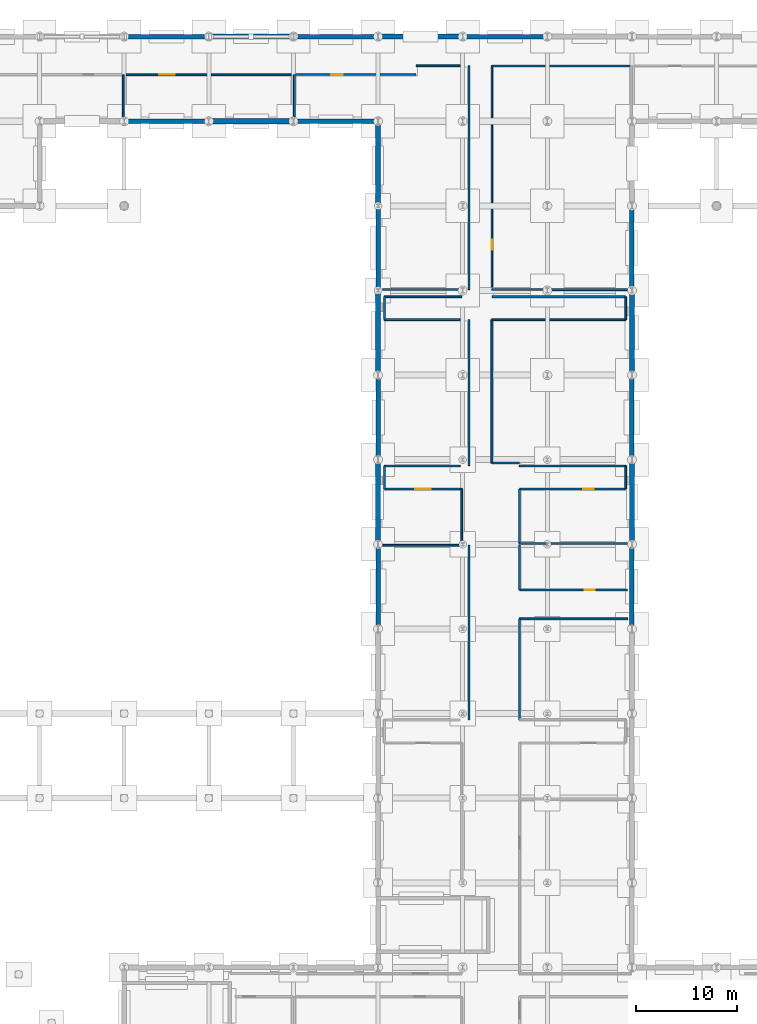
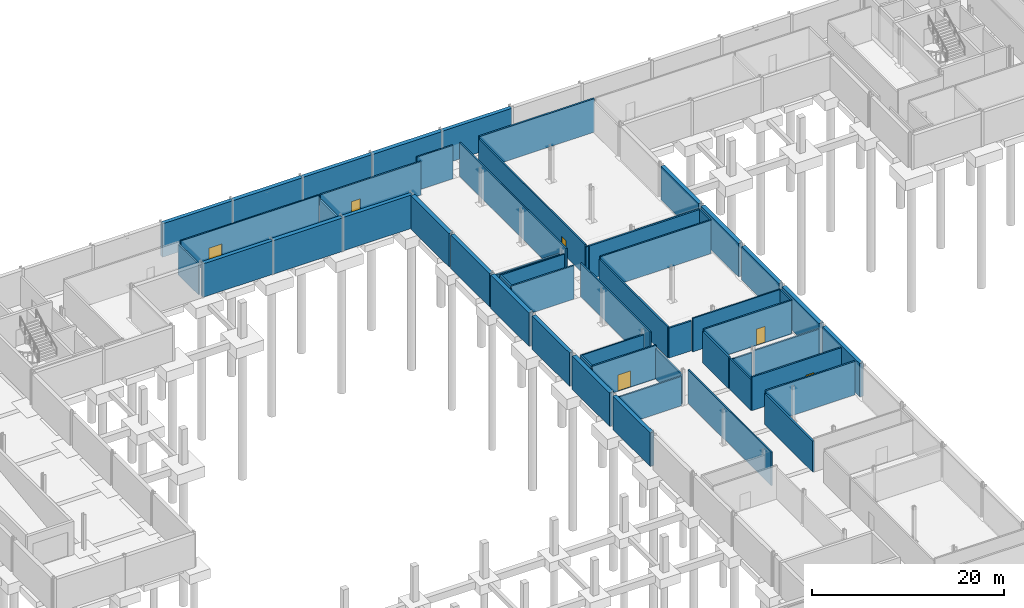
# One storey, part 29 of 43: 55 walls, 6 doors, 6 openings.
"""IFC4 building model written with IfcOpenShell, lengths in metres."""

from ifc_helpers import new_model, si_unit, direction, frame, frame_2d, origin, place, context, subcontext, project, spatial, rectangle, extrude, material, layer, layer_set, type_object, element, fill, save


model = new_model("IFC4")

# Units and contexts
model_context = context("Model", 3, precision=1e-05, world=origin(), true_north=direction((0.0, 1.0)))
body_context = subcontext(model_context, "Body", "Model", "MODEL_VIEW")
ifc_project = project(units=[si_unit("LENGTHUNIT", "METRE"), si_unit("AREAUNIT", "SQUARE_METRE"), si_unit("VOLUMEUNIT", "CUBIC_METRE"), si_unit("PLANEANGLEUNIT", "RADIAN"), si_unit("MASSUNIT", "GRAM", prefix="KILO")], contexts=[model_context])

# Site, building, storey
site_placement = place(None, origin())
site = spatial("IfcSite", under=ifc_project, at=site_placement, CompositionType="ELEMENT")
building_placement = place(site_placement, origin())
building = spatial("IfcBuilding", under=site, at=building_placement, Name="Mersafa Astral City Hall", CompositionType="ELEMENT")
storey_placement = place(building_placement, frame((0.0, 0.0, -4.5)))
storey = spatial("IfcBuildingStorey", under=building, at=storey_placement, Name="B1", CompositionType="ELEMENT", Elevation=-4.5)

# Walls
ifc_material_1 = material(Name="Concrete C40/50", Category="concrete")
ifc_layer_1 = layer(ifc_material_1, 0.449951171875, Name="Concrete C40/50")
ifc_layer_set_1 = layer_set([ifc_layer_1], Name="Concrete C40/50 — ENV-WAL-RET-450")
wall_type_1 = type_object("IfcWallType", Name="ENV-WAL-RET-450", PredefinedType="USERDEFINED", material=ifc_layer_set_1)
for number, where, z_axis, x_axis, name in (
    (1, (117.60009765625, 67.510009765625, 0.0), (0.0, 0.0, 1.0), (0.0, 1.0, 0.0), "B1 Perimeter retaining wall 7"),
    (2, (117.60009765625, 84.31005859375, 0.0), (0.0, 0.0, 1.0), (0.0, 1.0, 0.0), "B1 Perimeter retaining wall 9"),
):
    element("IfcWall", number, at=place(storey_placement, frame(where, z_axis=z_axis, x_axis=x_axis)), inside=storey, type_object=wall_type_1, Name=name, ObjectType="RETAININGWALL", PredefinedType="USERDEFINED", context=body_context, shape_type="SweptSolid", body=[
        extrude(rectangle(XDim=7.780029296875, YDim=0.449951171875, at=frame_2d((3.89013671875, 0.0))), origin(), (0.0, 0.0, 1.0), 4.25),
    ])
wall_1_placement = place(storey_placement, frame((117.60009765625, 101.034912109375, 0.0), z_axis=(0.0, 0.0, 1.0), x_axis=(0.0, 1.0, 0.0)))
element("IfcWall", 3, at=wall_1_placement, inside=storey, type_object=wall_type_1, Name="B1 Perimeter retaining wall 11", ObjectType="RETAININGWALL", PredefinedType="USERDEFINED", context=body_context, shape_type="SweptSolid", body=[
    extrude(rectangle(XDim=7.880126953125, YDim=0.449951171875, at=frame_2d((3.93994140625, 0.0))), origin(), (0.0, 0.0, 1.0), 4.25),
])
wall_2_placement = place(storey_placement, frame((109.19189453125, 126.0, 0.0), z_axis=(0.0, 0.0, 1.0), x_axis=(-1.0, 0.0, 0.0)))
element("IfcWall", 4, at=wall_2_placement, inside=storey, type_object=wall_type_1, Name="B1 Perimeter retaining wall 47", ObjectType="RETAININGWALL", PredefinedType="USERDEFINED", context=body_context, shape_type="SweptSolid", body=[
    extrude(rectangle(XDim=8.3837890625, YDim=0.449951171875, at=frame_2d((4.19189453125, 0.0))), origin(), (0.0, 0.0, 1.0), 4.25),
])
for number, where, z_axis, x_axis, name in (
    (5, (92.39208984375, 126.0, 0.0), (0.0, 0.0, 1.0), (-1.0, 0.0, 0.0), "B1 Perimeter retaining wall 49"),
    (6, (75.592041015625, 126.0, 0.0), (0.0, 0.0, 1.0), (-1.0, 0.0, 0.0), "B1 Perimeter retaining wall 51"),
    (7, (67.2080078125, 117.60009765625, 0.0), (0.0, 0.0, 1.0), (1.0, 0.0, 0.0), "B1 Perimeter retaining wall 73"),
    (8, (84.008056640625, 117.60009765625, 0.0), (0.0, 0.0, 1.0), (1.0, 0.0, 0.0), "B1 Perimeter retaining wall 75"),
):
    element("IfcWall", number, at=place(storey_placement, frame(where, z_axis=z_axis, x_axis=x_axis)), inside=storey, type_object=wall_type_1, Name=name, ObjectType="RETAININGWALL", PredefinedType="USERDEFINED", context=body_context, shape_type="SweptSolid", body=[
        extrude(rectangle(XDim=8.384033203125, YDim=0.449951171875, at=frame_2d((4.19189453125, 0.0))), origin(), (0.0, 0.0, 1.0), 4.25),
    ])
wall_3_placement = place(storey_placement, frame((92.39990234375, 109.06494140625, 0.0), z_axis=(0.0, 0.0, 1.0), x_axis=(0.0, -1.0, 0.0)))
element("IfcWall", 9, at=wall_3_placement, inside=storey, type_object=wall_type_1, Name="B1 Perimeter retaining wall 77", ObjectType="RETAININGWALL", PredefinedType="USERDEFINED", context=body_context, shape_type="SweptSolid", body=[
    extrude(rectangle(XDim=8.1298828125, YDim=0.449951171875, at=frame_2d((4.06494140625, 0.0))), origin(), (0.0, 0.0, 1.0), 4.25),
])
for number, where, z_axis, x_axis, name in (
    (10, (92.39990234375, 92.090087890625, 0.0), (0.0, 0.0, 1.0), (0.0, -1.0, 0.0), "B1 Perimeter retaining wall 79"),
    (11, (92.39990234375, 75.2900390625, 0.0), (0.0, 0.0, 1.0), (0.0, -1.0, 0.0), "B1 Perimeter retaining wall 81"),
):
    element("IfcWall", number, at=place(storey_placement, frame(where, z_axis=z_axis, x_axis=x_axis)), inside=storey, type_object=wall_type_1, Name=name, ObjectType="RETAININGWALL", PredefinedType="USERDEFINED", context=body_context, shape_type="SweptSolid", body=[
        extrude(rectangle(XDim=7.780029296875, YDim=0.449951171875, at=frame_2d((3.89013671875, 0.0))), origin(), (0.0, 0.0, 1.0), 4.25),
    ])
ifc_layer_2 = layer(ifc_material_1, 0.5, Name="Concrete C40/50")
ifc_layer_set_2 = layer_set([ifc_layer_2], Name="Concrete C40/50 — ENV-WAL-RET-500")
wall_type_2 = type_object("IfcWallType", Name="ENV-WAL-RET-500", PredefinedType="USERDEFINED", material=ifc_layer_set_2)
wall_4_placement = place(storey_placement, frame((117.60009765625, 75.909912109375, 0.0), z_axis=(0.0, 0.0, 1.0), x_axis=(0.0, 1.0, 0.0)))
element("IfcWall", 12, at=wall_4_placement, inside=storey, type_object=wall_type_2, Name="B1 Perimeter retaining wall 8", ObjectType="RETAININGWALL", PredefinedType="USERDEFINED", context=body_context, shape_type="SweptSolid", body=[
    extrude(rectangle(XDim=7.780029296875, YDim=0.5, at=frame_2d((3.89013671875, 0.0))), origin(), (0.0, 0.0, 1.0), 4.25),
])
wall_5_placement = place(storey_placement, frame((117.60009765625, 92.7099609375, 0.0), z_axis=(0.0, 0.0, 1.0), x_axis=(0.0, 1.0, 0.0)))
element("IfcWall", 13, at=wall_5_placement, inside=storey, type_object=wall_type_2, Name="B1 Perimeter retaining wall 10", ObjectType="RETAININGWALL", PredefinedType="USERDEFINED", context=body_context, shape_type="SweptSolid", body=[
    extrude(rectangle(XDim=7.85498046875, YDim=0.5, at=frame_2d((3.927490234375, 0.0))), origin(), (0.0, 0.0, 1.0), 4.25),
])
for number, where, z_axis, x_axis, name in (
    (14, (100.7919921875, 126.0, 0.0), (0.0, 0.0, 1.0), (-1.0, 0.0, 0.0), "B1 Perimeter retaining wall 48"),
    (15, (83.991943359375, 126.0, 0.0), (0.0, 0.0, 1.0), (-1.0, 0.0, 0.0), "B1 Perimeter retaining wall 50"),
    (16, (75.60791015625, 117.60009765625, 0.0), (0.0, 0.0, 1.0), (1.0, 0.0, 0.0), "B1 Perimeter retaining wall 74"),
):
    element("IfcWall", number, at=place(storey_placement, frame(where, z_axis=z_axis, x_axis=x_axis)), inside=storey, type_object=wall_type_2, Name=name, ObjectType="RETAININGWALL", PredefinedType="USERDEFINED", context=body_context, shape_type="SweptSolid", body=[
        extrude(rectangle(XDim=8.384033203125, YDim=0.5, at=frame_2d((4.19189453125, 0.0))), origin(), (0.0, 0.0, 1.0), 4.25),
    ])
wall_6_placement = place(storey_placement, frame((92.39990234375, 117.31494140625, 0.0), z_axis=(0.0, 0.0, 1.0), x_axis=(0.0, -1.0, 0.0)))
element("IfcWall", 17, at=wall_6_placement, inside=storey, type_object=wall_type_2, Name="B1 Perimeter retaining wall 76", ObjectType="RETAININGWALL", PredefinedType="USERDEFINED", context=body_context, shape_type="SweptSolid", body=[
    extrude(rectangle(XDim=7.97998046875, YDim=0.5, at=frame_2d((3.989990234375, 0.0))), origin(), (0.0, 0.0, 1.0), 4.25),
])
wall_7_placement = place(storey_placement, frame((92.39990234375, 100.6650390625, 0.0), z_axis=(0.0, 0.0, 1.0), x_axis=(0.0, -1.0, 0.0)))
element("IfcWall", 18, at=wall_7_placement, inside=storey, type_object=wall_type_2, Name="B1 Perimeter retaining wall 78", ObjectType="RETAININGWALL", PredefinedType="USERDEFINED", context=body_context, shape_type="SweptSolid", body=[
    extrude(rectangle(XDim=7.955078125, YDim=0.5, at=frame_2d((3.9775390625, 0.0))), origin(), (0.0, 0.0, 1.0), 4.25),
])
wall_8_placement = place(storey_placement, frame((92.39990234375, 83.68994140625, 0.0), z_axis=(0.0, 0.0, 1.0), x_axis=(0.0, -1.0, 0.0)))
element("IfcWall", 19, at=wall_8_placement, inside=storey, type_object=wall_type_2, Name="B1 Perimeter retaining wall 80", ObjectType="RETAININGWALL", PredefinedType="USERDEFINED", context=body_context, shape_type="SweptSolid", body=[
    extrude(rectangle(XDim=7.780029296875, YDim=0.5, at=frame_2d((3.89013671875, 0.0))), origin(), (0.0, 0.0, 1.0), 4.25),
])

# Wall, opening, door
ifc_material_2 = material(Name="Fire-rated gypsum stud partition", Category="gypsum")
ifc_layer_3 = layer(ifc_material_2, 0.1650390625, Name="Fire-rated gypsum stud partition")
ifc_layer_set_3 = layer_set([ifc_layer_3], Name="Fire-rated gypsum stud partition — INT-WAL-PART-EI60-165")
wall_type_3 = type_object("IfcWallType", Name="INT-WAL-PART-EI60-165", PredefinedType="STANDARD", material=ifc_layer_set_3)
wall_9_placement = place(storey_placement, frame((103.699951171875, 100.889892578125, -0.00390625), z_axis=(0.0, 0.0, 1.0), x_axis=(0.0, 1.0, 0.0)))
wall_9 = element("IfcWall", 20, at=wall_9_placement, inside=storey, type_object=wall_type_3, Name="B1 Interior partition wall 3", PredefinedType="STANDARD", context=body_context, shape_type="SweptSolid", body=[
    extrude(rectangle(XDim=22.210205078125, YDim=0.1650390625, at=frame_2d((11.10498046875, 0.0))), origin(), (0.0, 0.0, 1.0), 3.9658203125),
])
opening_1_placement = place(wall_9_placement, frame((3.951904296875, 0.0, 0.014892578125)))
opening_1 = element("IfcOpeningElement", 21, at=opening_1_placement, cuts=wall_9, Name="Opening D-02", PredefinedType="OPENING", context=body_context, shape_type="SweptSolid", body=[
    extrude(rectangle(XDim=0.97998046875, YDim=2.06005859375, at=frame_2d((0.489990234375, 1.030029296875))), frame((0.0, 0.092529296875, 0.0), z_axis=(0.0, -1.0, 0.0), x_axis=(1.0, 0.0, 0.0)), (0.0, 0.0, 1.0), 0.18505859375),
])
ifc_material_3 = material(Name="Cedar veneered acoustic fire-rated timber door", Category="wood")
door_type_1 = type_object("IfcDoorType", Name="INT-DR-RM-D-02", OperationType="NOTDEFINED", PredefinedType="DOOR", material=ifc_material_3)
door_1_placement = place(opening_1_placement, origin())
door_1 = element("IfcDoor", 22, at=door_1_placement, inside=storey, type_object=door_type_1, Name="B1 Central Archive Stack B1-01 Entrance Door", OperationType="SINGLE_SWING_RIGHT", OverallHeight=2.06005859375, OverallWidth=0.97998046875, PredefinedType="DOOR", context=body_context, shape_type="SweptSolid", body=[
    extrude(rectangle(XDim=0.97998046875, YDim=2.06005859375, at=frame_2d((0.489990234375, 1.030029296875))), frame((0.0, 0.02490234375, 0.0), z_axis=(0.0, -1.0, 0.0), x_axis=(1.0, 0.0, 0.0)), (0.0, 0.0, 1.0), 0.050048828125),
])
fill(opening_1, door_1)

# Walls
wall_10_placement = place(storey_placement, frame((109.085205078125, 75.68994140625, -0.00390625), z_axis=(0.0, 0.0, 1.0), x_axis=(-1.0, 0.0, 0.0)))
element("IfcWall", 23, at=wall_10_placement, inside=storey, type_object=wall_type_3, Name="B1 Interior partition wall 7", PredefinedType="STANDARD", context=body_context, shape_type="SweptSolid", body=[
    extrude(rectangle(XDim=2.6552734375, YDim=0.1650390625, at=frame_2d((1.32763671875, 0.0))), origin(), (0.0, 0.0, 1.0), 3.635986328125),
])
wall_11_placement = place(storey_placement, frame((116.97998046875, 83.3798828125, -0.00390625), z_axis=(0.0, 0.0, 1.0), x_axis=(-1.0, 0.0, 0.0)))
element("IfcWall", 24, at=wall_11_placement, inside=storey, type_object=wall_type_3, Name="B1 Interior partition wall 11", PredefinedType="STANDARD", context=body_context, shape_type="SweptSolid", body=[
    extrude(rectangle(XDim=10.550048828125, YDim=0.1650390625, at=frame_2d((5.27490234375, 0.0))), origin(), (0.0, 0.0, 1.0), 4.25390625),
])
wall_12_placement = place(storey_placement, frame((116.97998046875, 97.89990234375, -0.00390625), z_axis=(0.0, 0.0, 1.0), x_axis=(0.0, 1.0, 0.0)))
element("IfcWall", 25, at=wall_12_placement, inside=storey, type_object=wall_type_3, Name="B1 Interior partition wall 15", PredefinedType="STANDARD", context=body_context, shape_type="SweptSolid", body=[
    extrude(rectangle(XDim=2.280029296875, YDim=0.1650390625, at=frame_2d((1.14013671875, 0.0))), origin(), (0.0, 0.0, 1.0), 4.25390625),
])
wall_13_placement = place(storey_placement, frame((101.419921875, 123.10009765625, -0.00390625), z_axis=(0.0, 0.0, 1.0), x_axis=(0.0, -1.0, 0.0)))
element("IfcWall", 26, at=wall_13_placement, inside=storey, type_object=wall_type_3, Name="B1 Interior partition wall 19", PredefinedType="STANDARD", context=body_context, shape_type="SweptSolid", body=[
    extrude(rectangle(XDim=22.210205078125, YDim=0.1650390625, at=frame_2d((11.10498046875, 0.0))), origin(), (0.0, 0.0, 1.0), 4.25390625),
])
wall_14_placement = place(storey_placement, frame((101.419921875, 75.510009765625, -0.00390625), z_axis=(0.0, 0.0, 1.0), x_axis=(0.0, -1.0, 0.0)))
element("IfcWall", 27, at=wall_14_placement, inside=storey, type_object=wall_type_3, Name="B1 Interior partition wall 27", PredefinedType="STANDARD", context=body_context, shape_type="SweptSolid", body=[
    extrude(rectangle(XDim=17.330078125, YDim=0.1650390625, at=frame_2d((8.6650390625, 0.0))), origin(), (0.0, 0.0, 1.0), 4.25390625),
])
wall_15_placement = place(storey_placement, frame((100.7099609375, 100.179931640625, -0.00390625), z_axis=(0.0, 0.0, 1.0), x_axis=(-1.0, 0.0, 0.0)))
element("IfcWall", 28, at=wall_15_placement, inside=storey, type_object=wall_type_3, Name="B1 Interior partition wall 39", PredefinedType="STANDARD", context=body_context, shape_type="SweptSolid", body=[
    extrude(rectangle(XDim=7.68994140625, YDim=0.1650390625, at=frame_2d((3.844970703125, 0.0))), origin(), (0.0, 0.0, 1.0), 4.25390625),
])
wall_16_placement = place(storey_placement, frame((100.5400390625, 83.3798828125, -0.00390625), z_axis=(0.0, 0.0, 1.0), x_axis=(-1.0, 0.0, 0.0)))
element("IfcWall", 29, at=wall_16_placement, inside=storey, type_object=wall_type_3, Name="B1 Interior partition wall 43", PredefinedType="STANDARD", context=body_context, shape_type="SweptSolid", body=[
    extrude(rectangle(XDim=7.52001953125, YDim=0.1650390625, at=frame_2d((3.760009765625, 0.0))), origin(), (0.0, 0.0, 1.0), 4.25390625),
])

# Wall, opening, door
wall_17_placement = place(storey_placement, frame((67.2900390625, 122.219970703125, -0.00390625), z_axis=(0.0, 0.0, 1.0), x_axis=(1.0, 0.0, 0.0)))
wall_17 = element("IfcWall", 30, at=wall_17_placement, inside=storey, type_object=wall_type_3, Name="B1 Interior partition wall 83", PredefinedType="STANDARD", context=body_context, shape_type="SweptSolid", body=[
    extrude(rectangle(XDim=16.619873046875, YDim=0.1650390625, at=frame_2d((8.31005859375, 0.0))), origin(), (0.0, 0.0, 1.0), 4.25390625),
])
opening_2_placement = place(wall_17_placement, frame((3.385009765625, 0.0, 0.014892578125)))
opening_2 = element("IfcOpeningElement", 31, at=opening_2_placement, cuts=wall_17, Name="Opening D-17", PredefinedType="OPENING", context=body_context, shape_type="SweptSolid", body=[
    extrude(rectangle(XDim=1.5400390625, YDim=2.139892578125, at=frame_2d((0.77001953125, 1.06982421875))), frame((0.0, 0.092529296875, 0.0), z_axis=(0.0, -1.0, 0.0), x_axis=(1.0, 0.0, 0.0)), (0.0, 0.0, 1.0), 0.18505859375),
])
door_type_2 = type_object("IfcDoorType", Name="INT-DR-RM-D-17", OperationType="NOTDEFINED", PredefinedType="DOOR", material=ifc_material_3)
door_2_placement = place(opening_2_placement, origin())
door_2 = element("IfcDoor", 32, at=door_2_placement, inside=storey, type_object=door_type_2, Name="B1 Logistics Bay B1-16 Entrance Door", OperationType="SINGLE_SWING_LEFT", OverallHeight=2.139892578125, OverallWidth=1.5400390625, PredefinedType="DOOR", context=body_context, shape_type="SweptSolid", body=[
    extrude(rectangle(XDim=1.5400390625, YDim=2.139892578125, at=frame_2d((0.77001953125, 1.06982421875))), frame((0.0, 0.02490234375, 0.0), z_axis=(0.0, -1.0, 0.0), x_axis=(1.0, 0.0, 0.0)), (0.0, 0.0, 1.0), 0.050048828125),
])
fill(opening_2, door_2)

# Walls
ifc_material_4 = material(Name="Acoustic twin-stud gypsum partition", Category="gypsum")
ifc_layer_4 = layer(ifc_material_4, 0.179931640625, Name="Acoustic twin-stud gypsum partition")
ifc_layer_set_4 = layer_set([ifc_layer_4], Name="Acoustic twin-stud gypsum partition — INT-WAL-PART-EI60-180")
wall_type_4 = type_object("IfcWallType", Name="INT-WAL-PART-EI60-180", PredefinedType="STANDARD", material=ifc_layer_set_4)
wall_18_placement = place(storey_placement, frame((108.97119140625, 100.889892578125, -0.00390625), z_axis=(0.0, 0.0, 1.0), x_axis=(-1.0, 0.0, 0.0)))
element("IfcWall", 33, at=wall_18_placement, inside=storey, type_object=wall_type_4, Name="B1 Interior partition wall 2", PredefinedType="STANDARD", context=body_context, shape_type="SweptSolid", body=[
    extrude(rectangle(XDim=5.271240234375, YDim=0.179931640625, at=frame_2d((2.6357421875, 0.0))), origin(), (0.0, 0.0, 1.0), 3.685791015625),
])
wall_19_placement = place(storey_placement, frame((117.179931640625, 75.68994140625, -0.00390625), z_axis=(0.0, 0.0, 1.0), x_axis=(-1.0, 0.0, 0.0)))
element("IfcWall", 34, at=wall_19_placement, inside=storey, type_object=wall_type_4, Name="B1 Interior partition wall 6", PredefinedType="STANDARD", context=body_context, shape_type="SweptSolid", body=[
    extrude(rectangle(XDim=7.865234375, YDim=0.179931640625, at=frame_2d((3.9326171875, 0.0))), origin(), (0.0, 0.0, 1.0), 3.7958984375),
])
wall_20_placement = place(storey_placement, frame((116.97998046875, 81.10009765625, -0.00390625), z_axis=(0.0, 0.0, 1.0), x_axis=(0.0, 1.0, 0.0)))
element("IfcWall", 35, at=wall_20_placement, inside=storey, type_object=wall_type_4, Name="B1 Interior partition wall 10", PredefinedType="STANDARD", context=body_context, shape_type="SweptSolid", body=[
    extrude(rectangle(XDim=2.27978515625, YDim=0.179931640625, at=frame_2d((1.139892578125, 0.0))), origin(), (0.0, 0.0, 1.0), 4.25390625),
])
wall_21_placement = place(storey_placement, frame((103.699951171875, 97.89990234375, -0.00390625), z_axis=(0.0, 0.0, 1.0), x_axis=(1.0, 0.0, 0.0)))
element("IfcWall", 36, at=wall_21_placement, inside=storey, type_object=wall_type_4, Name="B1 Interior partition wall 14", PredefinedType="STANDARD", context=body_context, shape_type="SweptSolid", body=[
    extrude(rectangle(XDim=13.280029296875, YDim=0.179931640625, at=frame_2d((6.64013671875, 0.0))), origin(), (0.0, 0.0, 1.0), 4.25390625),
])
wall_22_placement = place(storey_placement, frame((96.179931640625, 123.10009765625, -0.00390625), z_axis=(0.0, 0.0, 1.0), x_axis=(1.0, 0.0, 0.0)))
element("IfcWall", 37, at=wall_22_placement, inside=storey, type_object=wall_type_4, Name="B1 Interior partition wall 18", PredefinedType="STANDARD", context=body_context, shape_type="SweptSolid", body=[
    extrude(rectangle(XDim=4.360107421875, YDim=0.179931640625, at=frame_2d((2.18017578125, 0.0))), origin(), (0.0, 0.0, 1.0), 4.25390625),
])
wall_23_placement = place(storey_placement, frame((92.820068359375, 75.510009765625, -0.00390625), z_axis=(0.0, 0.0, 1.0), x_axis=(1.0, 0.0, 0.0)))
element("IfcWall", 38, at=wall_23_placement, inside=storey, type_object=wall_type_4, Name="B1 Interior partition wall 26", PredefinedType="STANDARD", context=body_context, shape_type="SweptSolid", body=[
    extrude(rectangle(XDim=7.719970703125, YDim=0.179931640625, at=frame_2d((3.85986328125, 0.0))), origin(), (0.0, 0.0, 1.0), 3.73583984375),
])
wall_24_placement = place(storey_placement, frame((101.419921875, 97.89990234375, -0.00390625), z_axis=(0.0, 0.0, 1.0), x_axis=(0.0, -1.0, 0.0)))
element("IfcWall", 39, at=wall_24_placement, inside=storey, type_object=wall_type_4, Name="B1 Interior partition wall 42", PredefinedType="STANDARD", context=body_context, shape_type="SweptSolid", body=[
    extrude(rectangle(XDim=14.52001953125, YDim=0.179931640625, at=frame_2d((7.260009765625, 0.0))), origin(), (0.0, 0.0, 1.0), 4.25390625),
])
wall_25_placement = place(storey_placement, frame((100.7099609375, 81.10009765625, -0.00390625), z_axis=(0.0, 0.0, 1.0), x_axis=(0.0, -1.0, 0.0)))
element("IfcWall", 40, at=wall_25_placement, inside=storey, type_object=wall_type_4, Name="B1 Interior partition wall 46", PredefinedType="STANDARD", context=body_context, shape_type="SweptSolid", body=[
    extrude(rectangle(XDim=5.38525390625, YDim=0.179931640625, at=frame_2d((2.692626953125, 0.0))), origin(), (0.0, 0.0, 1.0), 3.8359375),
])
wall_26_placement = place(storey_placement, frame((67.110107421875, 122.219970703125, -0.00390625), z_axis=(0.0, 0.0, 1.0), x_axis=(0.0, -1.0, 0.0)))
element("IfcWall", 41, at=wall_26_placement, inside=storey, type_object=wall_type_4, Name="B1 Interior partition wall 58", PredefinedType="STANDARD", context=body_context, shape_type="SweptSolid", body=[
    extrude(rectangle(XDim=4.199951171875, YDim=0.179931640625, at=frame_2d((2.10009765625, 0.0))), origin(), (0.0, 0.0, 1.0), 3.885986328125),
])
wall_27_placement = place(storey_placement, frame((106.429931640625, 71.070068359375, -0.00390625), z_axis=(0.0, 0.0, 1.0), x_axis=(0.0, 1.0, 0.0)))
element("IfcWall", 42, at=wall_27_placement, inside=storey, type_object=wall_type_4, Name="B1 Interior partition wall 90", PredefinedType="STANDARD", context=body_context, shape_type="SweptSolid", body=[
    extrude(rectangle(XDim=4.43994140625, YDim=0.179931640625, at=frame_2d((2.219970703125, 0.0))), origin(), (0.0, 0.0, 1.0), 3.9658203125),
])
ifc_layer_5 = layer(ifc_material_4, 0.195068359375, Name="Acoustic twin-stud gypsum partition")
ifc_layer_set_5 = layer_set([ifc_layer_5], Name="Acoustic twin-stud gypsum partition — INT-WAL-PART-EI60-195")
wall_type_5 = type_object("IfcWallType", Name="INT-WAL-PART-EI60-195", PredefinedType="STANDARD", material=ifc_layer_set_5)
wall_28_placement = place(storey_placement, frame((117.179931640625, 100.889892578125, -0.00390625), z_axis=(0.0, 0.0, 1.0), x_axis=(-1.0, 0.0, 0.0)))
element("IfcWall", 43, at=wall_28_placement, inside=storey, type_object=wall_type_5, Name="B1 Interior partition wall 1", PredefinedType="STANDARD", context=body_context, shape_type="SweptSolid", body=[
    extrude(rectangle(XDim=7.751220703125, YDim=0.195068359375, at=frame_2d((3.87548828125, 0.0))), origin(), (0.0, 0.0, 1.0), 3.73583984375),
])

# Wall, opening, door
wall_29_placement = place(storey_placement, frame((106.429931640625, 81.10009765625, -0.00390625), z_axis=(0.0, 0.0, 1.0), x_axis=(1.0, 0.0, 0.0)))
wall_29 = element("IfcWall", 44, at=wall_29_placement, inside=storey, type_object=wall_type_5, Name="B1 Interior partition wall 9", PredefinedType="STANDARD", context=body_context, shape_type="SweptSolid", body=[
    extrude(rectangle(XDim=10.550048828125, YDim=0.195068359375, at=frame_2d((5.27490234375, 0.0))), origin(), (0.0, 0.0, 1.0), 4.25390625),
])
opening_3_placement = place(wall_29_placement, frame((6.33740234375, 0.0, 0.014892578125)))
opening_3 = element("IfcOpeningElement", 45, at=opening_3_placement, cuts=wall_29, Name="Opening D-03", PredefinedType="OPENING", context=body_context, shape_type="SweptSolid", body=[
    extrude(rectangle(XDim=1.0400390625, YDim=2.06005859375, at=frame_2d((0.52001953125, 1.030029296875))), frame((0.0, 0.107421875, 0.0), z_axis=(0.0, -1.0, 0.0), x_axis=(1.0, 0.0, 0.0)), (0.0, 0.0, 1.0), 0.215087890625),
])
door_type_3 = type_object("IfcDoorType", Name="INT-DR-RM-D-03", OperationType="NOTDEFINED", PredefinedType="DOOR", material=ifc_material_3)
door_3_placement = place(opening_3_placement, origin())
door_3 = element("IfcDoor", 46, at=door_3_placement, inside=storey, type_object=door_type_3, Name="B1 Compact Shelving Vault B1-02 Entrance Door", OperationType="SINGLE_SWING_LEFT", OverallHeight=2.06005859375, OverallWidth=1.0400390625, PredefinedType="DOOR", context=body_context, shape_type="SweptSolid", body=[
    extrude(rectangle(XDim=1.0400390625, YDim=2.06005859375, at=frame_2d((0.52001953125, 1.030029296875))), frame((0.0, 0.02490234375, 0.0), z_axis=(0.0, -1.0, 0.0), x_axis=(1.0, 0.0, 0.0)), (0.0, 0.0, 1.0), 0.050048828125),
])
fill(opening_3, door_3)

# Wall
wall_30_placement = place(storey_placement, frame((103.699951171875, 83.669921875, -0.00390625), z_axis=(0.0, 0.0, 1.0), x_axis=(0.0, 1.0, 0.0)))
element("IfcWall", 47, at=wall_30_placement, inside=storey, type_object=wall_type_5, Name="B1 Interior partition wall 13", PredefinedType="STANDARD", context=body_context, shape_type="SweptSolid", body=[
    extrude(rectangle(XDim=14.22998046875, YDim=0.195068359375, at=frame_2d((7.114990234375, 0.0))), origin(), (0.0, 0.0, 1.0), 3.935791015625),
])

# Wall, opening, door
wall_31_placement = place(storey_placement, frame((84.090087890625, 122.219970703125, -0.00390625), z_axis=(0.0, 0.0, 1.0), x_axis=(1.0, 0.0, 0.0)))
wall_31 = element("IfcWall", 48, at=wall_31_placement, inside=storey, type_object=wall_type_5, Name="B1 Interior partition wall 17", PredefinedType="STANDARD", context=body_context, shape_type="SweptSolid", body=[
    extrude(rectangle(XDim=12.08984375, YDim=0.195068359375, at=frame_2d((6.044921875, 0.0))), origin(), (0.0, 0.0, 1.0), 4.25390625),
])
opening_4_placement = place(wall_31_placement, frame((3.681396484375, 0.0, 0.014892578125)))
opening_4 = element("IfcOpeningElement", 49, at=opening_4_placement, cuts=wall_31, Name="Opening D-04", PredefinedType="OPENING", context=body_context, shape_type="SweptSolid", body=[
    extrude(rectangle(XDim=1.10009765625, YDim=2.06005859375, at=frame_2d((0.550048828125, 1.030029296875))), frame((0.0, 0.107421875, 0.0), z_axis=(0.0, -1.0, 0.0), x_axis=(1.0, 0.0, 0.0)), (0.0, 0.0, 1.0), 0.215087890625),
])
door_type_4 = type_object("IfcDoorType", Name="INT-DR-RM-D-04", OperationType="NOTDEFINED", PredefinedType="DOOR", material=ifc_material_3)
door_4_placement = place(opening_4_placement, origin())
door_4 = element("IfcDoor", 50, at=door_4_placement, inside=storey, type_object=door_type_4, Name="B1 Municipal Deeds Repository B1-03 Entrance Door", OperationType="SINGLE_SWING_RIGHT", OverallHeight=2.06005859375, OverallWidth=1.10009765625, PredefinedType="DOOR", context=body_context, shape_type="SweptSolid", body=[
    extrude(rectangle(XDim=1.10009765625, YDim=2.06005859375, at=frame_2d((0.550048828125, 1.030029296875))), frame((0.0, 0.02490234375, 0.0), z_axis=(0.0, -1.0, 0.0), x_axis=(1.0, 0.0, 0.0)), (0.0, 0.0, 1.0), 0.050048828125),
])
fill(opening_4, door_4)

# Walls
wall_32_placement = place(storey_placement, frame((84.090087890625, 118.02001953125, -0.00390625), z_axis=(0.0, 0.0, 1.0), x_axis=(0.0, 1.0, 0.0)))
element("IfcWall", 51, at=wall_32_placement, inside=storey, type_object=wall_type_5, Name="B1 Interior partition wall 21", PredefinedType="STANDARD", context=body_context, shape_type="SweptSolid", body=[
    extrude(rectangle(XDim=4.199951171875, YDim=0.195068359375, at=frame_2d((2.10009765625, 0.0))), origin(), (0.0, 0.0, 1.0), 3.635986328125),
])
wall_33_placement = place(storey_placement, frame((106.429931640625, 68.2099609375, -0.00390625), z_axis=(0.0, 0.0, 1.0), x_axis=(1.0, 0.0, 0.0)))
element("IfcWall", 52, at=wall_33_placement, inside=storey, type_object=wall_type_5, Name="B1 Interior partition wall 37", PredefinedType="STANDARD", context=body_context, shape_type="SweptSolid", body=[
    extrude(rectangle(XDim=10.75, YDim=0.195068359375, at=frame_2d((5.375, 0.0))), origin(), (0.0, 0.0, 1.0), 4.25390625),
])
wall_34_placement = place(storey_placement, frame((93.02001953125, 97.89990234375, -0.00390625), z_axis=(0.0, 0.0, 1.0), x_axis=(1.0, 0.0, 0.0)))
element("IfcWall", 53, at=wall_34_placement, inside=storey, type_object=wall_type_5, Name="B1 Interior partition wall 41", PredefinedType="STANDARD", context=body_context, shape_type="SweptSolid", body=[
    extrude(rectangle(XDim=7.52001953125, YDim=0.195068359375, at=frame_2d((3.760009765625, 0.0))), origin(), (0.0, 0.0, 1.0), 4.25390625),
])

# Wall, opening, door
wall_35_placement = place(storey_placement, frame((93.02001953125, 81.10009765625, -0.00390625), z_axis=(0.0, 0.0, 1.0), x_axis=(1.0, 0.0, 0.0)))
wall_35 = element("IfcWall", 54, at=wall_35_placement, inside=storey, type_object=wall_type_5, Name="B1 Interior partition wall 45", PredefinedType="STANDARD", context=body_context, shape_type="SweptSolid", body=[
    extrude(rectangle(XDim=7.68994140625, YDim=0.195068359375, at=frame_2d((3.844970703125, 0.0))), origin(), (0.0, 0.0, 1.0), 4.25390625),
])
opening_5_placement = place(wall_35_placement, frame((3.074951171875, 0.0, 0.014892578125)))
opening_5 = element("IfcOpeningElement", 55, at=opening_5_placement, cuts=wall_35, Name="Opening D-08", PredefinedType="OPENING", context=body_context, shape_type="SweptSolid", body=[
    extrude(rectangle(XDim=1.5400390625, YDim=2.06005859375, at=frame_2d((0.77001953125, 1.030029296875))), frame((0.0, 0.107421875, 0.0), z_axis=(0.0, -1.0, 0.0), x_axis=(1.0, 0.0, 0.0)), (0.0, 0.0, 1.0), 0.215087890625),
])
door_type_5 = type_object("IfcDoorType", Name="INT-DR-RM-D-08", OperationType="NOTDEFINED", PredefinedType="DOOR", material=ifc_material_3)
door_5_placement = place(opening_5_placement, origin())
door_5 = element("IfcDoor", 56, at=door_5_placement, inside=storey, type_object=door_type_5, Name="B1 Fire Pump Room B1-07 Entrance Door", OperationType="SINGLE_SWING_RIGHT", OverallHeight=2.06005859375, OverallWidth=1.5400390625, PredefinedType="DOOR", context=body_context, shape_type="SweptSolid", body=[
    extrude(rectangle(XDim=1.5400390625, YDim=2.06005859375, at=frame_2d((0.77001953125, 1.030029296875))), frame((0.0, 0.02490234375, 0.0), z_axis=(0.0, -1.0, 0.0), x_axis=(1.0, 0.0, 0.0)), (0.0, 0.0, 1.0), 0.050048828125),
])
fill(opening_5, door_5)

wall_36_placement = place(storey_placement, frame((117.179931640625, 71.070068359375, -0.00390625), z_axis=(0.0, 0.0, 1.0), x_axis=(-1.0, 0.0, 0.0)))
wall_36 = element("IfcWall", 57, at=wall_36_placement, inside=storey, type_object=wall_type_5, Name="B1 Interior partition wall 89", PredefinedType="STANDARD", context=body_context, shape_type="SweptSolid", body=[
    extrude(rectangle(XDim=10.75, YDim=0.195068359375, at=frame_2d((5.375, 0.0))), origin(), (0.0, 0.0, 1.0), 4.25390625),
])
opening_6_placement = place(wall_36_placement, frame((3.2724609375, 0.0, 0.014892578125)))
opening_6 = element("IfcOpeningElement", 58, at=opening_6_placement, cuts=wall_36, Name="Opening D-20", PredefinedType="OPENING", context=body_context, shape_type="SweptSolid", body=[
    extrude(rectangle(XDim=0.97998046875, YDim=2.219970703125, at=frame_2d((0.489990234375, 1.10986328125))), frame((0.0, 0.107421875, 0.0), z_axis=(0.0, -1.0, 0.0), x_axis=(1.0, 0.0, 0.0)), (0.0, 0.0, 1.0), 0.215087890625),
])
door_type_6 = type_object("IfcDoorType", Name="INT-DR-RM-D-20", OperationType="NOTDEFINED", PredefinedType="DOOR", material=ifc_material_3)
door_6_placement = place(opening_6_placement, origin())
door_6 = element("IfcDoor", 59, at=door_6_placement, inside=storey, type_object=door_type_6, Name="B1 Fire Pump Room B1-19 Entrance Door", OperationType="SINGLE_SWING_RIGHT", OverallHeight=2.219970703125, OverallWidth=0.97998046875, PredefinedType="DOOR", context=body_context, shape_type="SweptSolid", body=[
    extrude(rectangle(XDim=0.97998046875, YDim=2.219970703125, at=frame_2d((0.489990234375, 1.10986328125))), frame((0.0, 0.02490234375, 0.0), z_axis=(0.0, -1.0, 0.0), x_axis=(1.0, 0.0, 0.0)), (0.0, 0.0, 1.0), 0.050048828125),
])
fill(opening_6, door_6)

# Walls
ifc_material_5 = material(Name="Autoclaved aerated concrete blockwork plastered", Category="masonry")
ifc_layer_6 = layer(ifc_material_5, 0.2099609375, Name="Autoclaved aerated concrete blockwork plastered")
ifc_layer_set_6 = layer_set([ifc_layer_6], Name="Autoclaved aerated concrete blockwork plastered — INT-WAL-PART-EI60-210")
wall_type_6 = type_object("IfcWallType", Name="INT-WAL-PART-EI60-210", PredefinedType="STANDARD", material=ifc_layer_set_6)
wall_37_placement = place(storey_placement, frame((103.699951171875, 123.10009765625, -0.00390625), z_axis=(0.0, 0.0, 1.0), x_axis=(1.0, 0.0, 0.0)))
element("IfcWall", 60, at=wall_37_placement, inside=storey, type_object=wall_type_6, Name="B1 Interior partition wall 4", PredefinedType="STANDARD", context=body_context, shape_type="SweptSolid", body=[
    extrude(rectangle(XDim=13.81005859375, YDim=0.2099609375, at=frame_2d((6.905029296875, 0.0))), origin(), (0.0, 0.0, 1.0), 4.25390625),
])
wall_38_placement = place(storey_placement, frame((106.429931640625, 75.68994140625, -0.00390625), z_axis=(0.0, 0.0, 1.0), x_axis=(0.0, 1.0, 0.0)))
element("IfcWall", 61, at=wall_38_placement, inside=storey, type_object=wall_type_6, Name="B1 Interior partition wall 8", PredefinedType="STANDARD", context=body_context, shape_type="SweptSolid", body=[
    extrude(rectangle(XDim=5.41015625, YDim=0.2099609375, at=frame_2d((2.705078125, 0.0))), origin(), (0.0, 0.0, 1.0), 3.995849609375),
])
wall_39_placement = place(storey_placement, frame((106.429931640625, 83.669921875, -0.00390625), z_axis=(0.0, 0.0, 1.0), x_axis=(-1.0, 0.0, 0.0)))
element("IfcWall", 62, at=wall_39_placement, inside=storey, type_object=wall_type_6, Name="B1 Interior partition wall 12", PredefinedType="STANDARD", context=body_context, shape_type="SweptSolid", body=[
    extrude(rectangle(XDim=2.72998046875, YDim=0.2099609375, at=frame_2d((1.364990234375, 0.0))), origin(), (0.0, 0.0, 1.0), 3.7958984375),
])
wall_40_placement = place(storey_placement, frame((116.97998046875, 100.179931640625, -0.00390625), z_axis=(0.0, 0.0, 1.0), x_axis=(-1.0, 0.0, 0.0)))
element("IfcWall", 63, at=wall_40_placement, inside=storey, type_object=wall_type_6, Name="B1 Interior partition wall 16", PredefinedType="STANDARD", context=body_context, shape_type="SweptSolid", body=[
    extrude(rectangle(XDim=13.280029296875, YDim=0.2099609375, at=frame_2d((6.64013671875, 0.0))), origin(), (0.0, 0.0, 1.0), 4.25390625),
])
wall_41_placement = place(storey_placement, frame((100.5400390625, 100.889892578125, -0.00390625), z_axis=(0.0, 0.0, 1.0), x_axis=(-1.0, 0.0, 0.0)))
element("IfcWall", 64, at=wall_41_placement, inside=storey, type_object=wall_type_6, Name="B1 Interior partition wall 20", PredefinedType="STANDARD", context=body_context, shape_type="SweptSolid", body=[
    extrude(rectangle(XDim=7.719970703125, YDim=0.2099609375, at=frame_2d((3.85986328125, 0.0))), origin(), (0.0, 0.0, 1.0), 3.906005859375),
])
wall_42_placement = place(storey_placement, frame((106.429931640625, 58.179931640625, -0.00390625), z_axis=(0.0, 0.0, 1.0), x_axis=(0.0, 1.0, 0.0)))
element("IfcWall", 65, at=wall_42_placement, inside=storey, type_object=wall_type_6, Name="B1 Interior partition wall 36", PredefinedType="STANDARD", context=body_context, shape_type="SweptSolid", body=[
    extrude(rectangle(XDim=10.030029296875, YDim=0.2099609375, at=frame_2d((5.01513671875, 0.0))), origin(), (0.0, 0.0, 1.0), 3.935791015625),
])
wall_43_placement = place(storey_placement, frame((93.02001953125, 100.179931640625, -0.00390625), z_axis=(0.0, 0.0, 1.0), x_axis=(0.0, -1.0, 0.0)))
element("IfcWall", 66, at=wall_43_placement, inside=storey, type_object=wall_type_6, Name="B1 Interior partition wall 40", PredefinedType="STANDARD", context=body_context, shape_type="SweptSolid", body=[
    extrude(rectangle(XDim=2.280029296875, YDim=0.2099609375, at=frame_2d((1.14013671875, 0.0))), origin(), (0.0, 0.0, 1.0), 4.25390625),
])
wall_44_placement = place(storey_placement, frame((93.02001953125, 83.3798828125, -0.00390625), z_axis=(0.0, 0.0, 1.0), x_axis=(0.0, -1.0, 0.0)))
element("IfcWall", 67, at=wall_44_placement, inside=storey, type_object=wall_type_6, Name="B1 Interior partition wall 44", PredefinedType="STANDARD", context=body_context, shape_type="SweptSolid", body=[
    extrude(rectangle(XDim=2.27978515625, YDim=0.2099609375, at=frame_2d((1.139892578125, 0.0))), origin(), (0.0, 0.0, 1.0), 4.25390625),
])

save(model, "model.ifc")
